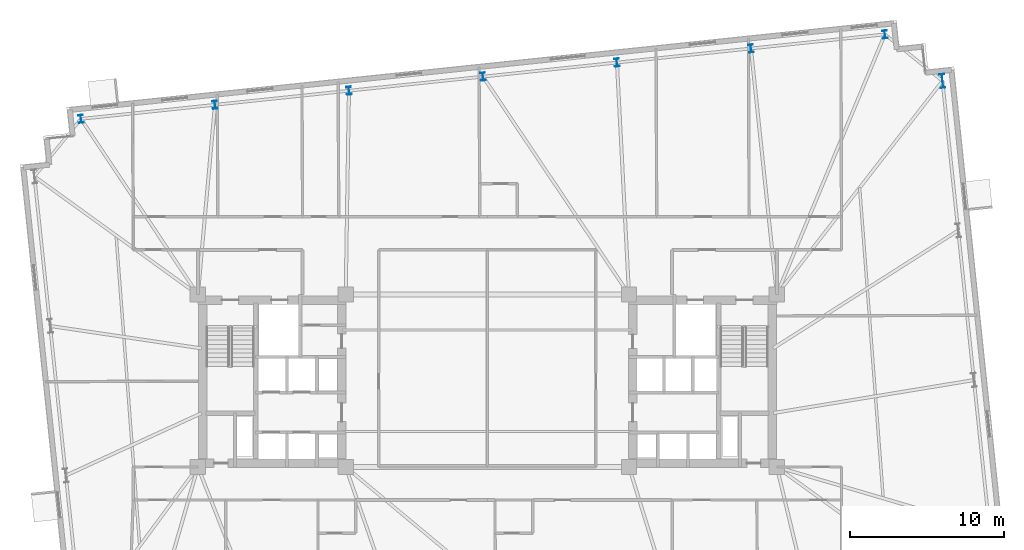
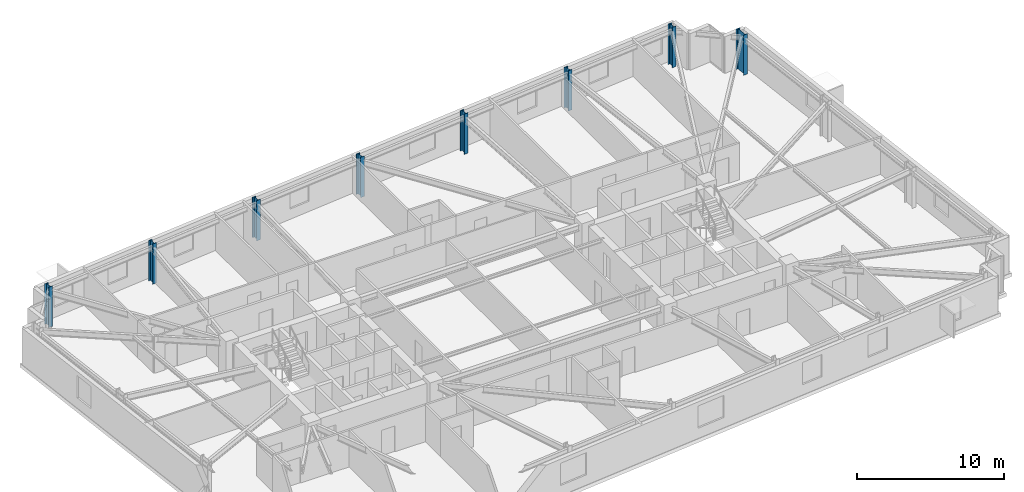
# One storey, part 3 of 17: 8 columns.
"""IFC4 building model written with IfcOpenShell, lengths in metres."""

from ifc_helpers import new_model, si_unit, direction, frame, origin, origin_2d, place, context, subcontext, project, spatial, i_section, extrude, material, material_profile, profile_set, type_object, element, save


model = new_model("IFC4")

# Units and contexts
model_context = context("Model", 3, precision=1e-05, world=origin(), true_north=direction((0.0, 1.0)))
body_context = subcontext(model_context, "Body", "Model", "MODEL_VIEW")
ifc_project = project(units=[si_unit("LENGTHUNIT", "METRE"), si_unit("AREAUNIT", "SQUARE_METRE"), si_unit("VOLUMEUNIT", "CUBIC_METRE"), si_unit("PLANEANGLEUNIT", "RADIAN"), si_unit("MASSUNIT", "GRAM", prefix="KILO")], contexts=[model_context])

# Site, building, storey
site_placement = place(None, origin())
site = spatial("IfcSite", under=ifc_project, at=site_placement, CompositionType="ELEMENT")
building_placement = place(site_placement, origin())
building = spatial("IfcBuilding", under=site, at=building_placement, Name="Qobustan Lattice House", CompositionType="ELEMENT")
storey_placement = place(building_placement, frame((0.0, 0.0, 105.800048828125)))
storey = spatial("IfcBuildingStorey", under=building, at=storey_placement, Name="L29", CompositionType="ELEMENT", Elevation=105.800048828125)

# Columns
ifc_material_1 = material(Name="Steel S355", Category="steel")
ifc_material_profile_1 = material_profile(ifc_material_1, i_section(OverallWidth=0.300048828125, OverallDepth=0.89990234375, WebThickness=0.0185546875, FlangeThickness=0.034912109375, FilletRadius=0.030029296875, at=origin_2d()), Name="HEB900")
ifc_profile_set_1 = profile_set([ifc_material_profile_1], Name="Steel S355")
column_type_1 = type_object("IfcColumnType", Name="COL-ST-HEB900", PredefinedType="COLUMN", material=ifc_profile_set_1)
column_placement = place(storey_placement, frame((29.55615234375, 19.468994140625, 0.0), z_axis=(0.0, 0.0, 1.0), x_axis=(0.994521895368, 0.104528463268, 0.0)))
element("IfcColumn", 1, at=column_placement, inside=storey, type_object=column_type_1, Name="L29 B2 perimeter column E4", PredefinedType="COLUMN", context=body_context, shape_type="SweptSolid", body=[
    extrude(i_section(OverallWidth=0.300048828125, OverallDepth=0.89990234375, WebThickness=0.0185546875, FlangeThickness=0.034912109375, FilletRadius=0.030029296875, at=origin_2d()), origin(), (0.0, 0.0, 1.0), 3.349853515625),
])
ifc_material_2 = material(Name="Steel S355", Category="steel")
ifc_material_profile_2 = material_profile(ifc_material_2, i_section(OverallWidth=0.305908203125, OverallDepth=0.52392578125, WebThickness=0.02099609375, FlangeThickness=0.0400390625, FilletRadius=0.027099609375, at=origin_2d()), Name="HEM500")
ifc_profile_set_2 = profile_set([ifc_material_profile_2], Name="Steel S355")
column_type_2 = type_object("IfcColumnType", Name="COL-ST-HEM500", PredefinedType="COLUMN", material=ifc_profile_set_2)
for number, where, z_axis, x_axis, name in (
    (2, (25.819580078125, 22.4951171875, 0.0), (0.0, 0.0, 1.0), (0.994521895368, 0.104528463268, 0.0), "L29 B2 perimeter column N1"),
    (3, (17.117431640625, 21.580322265625, 0.0), (0.0, 0.0, 1.0), (0.994521895368, 0.104528463268, 0.0), "L29 B2 perimeter column N2"),
    (4, (8.415283203125, 20.665771484375, 0.0), (0.0, 0.0, 1.0), (0.994521895368, 0.104528463268, 0.0), "L29 B2 perimeter column N3"),
    (5, (-0.28662109375, 19.751220703125, 0.0), (0.0, 0.0, 1.0), (0.994521895368, 0.104528463268, 0.0), "L29 B2 perimeter column N4"),
    (6, (-8.98876953125, 18.83642578125, 0.0), (0.0, 0.0, 1.0), (0.994521895368, 0.104528463268, 0.0), "L29 B2 perimeter column N5"),
    (7, (-17.69091796875, 17.921875, 0.0), (0.0, 0.0, 1.0), (0.994521895368, 0.104528463268, 0.0), "L29 B2 perimeter column N6"),
    (8, (-26.392822265625, 17.007080078125, 0.0), (0.0, 0.0, 1.0), (0.994521895368, 0.104528463268, 0.0), "L29 B2 perimeter column N7"),
):
    element("IfcColumn", number, at=place(storey_placement, frame(where, z_axis=z_axis, x_axis=x_axis)), inside=storey, type_object=column_type_2, Name=name, PredefinedType="COLUMN", context=body_context, shape_type="SweptSolid", body=[
        extrude(i_section(OverallWidth=0.305908203125, OverallDepth=0.52392578125, WebThickness=0.02099609375, FlangeThickness=0.0400390625, FilletRadius=0.027099609375, at=origin_2d()), origin(), (0.0, 0.0, 1.0), 3.349853515625),
    ])

save(model, "model.ifc")
